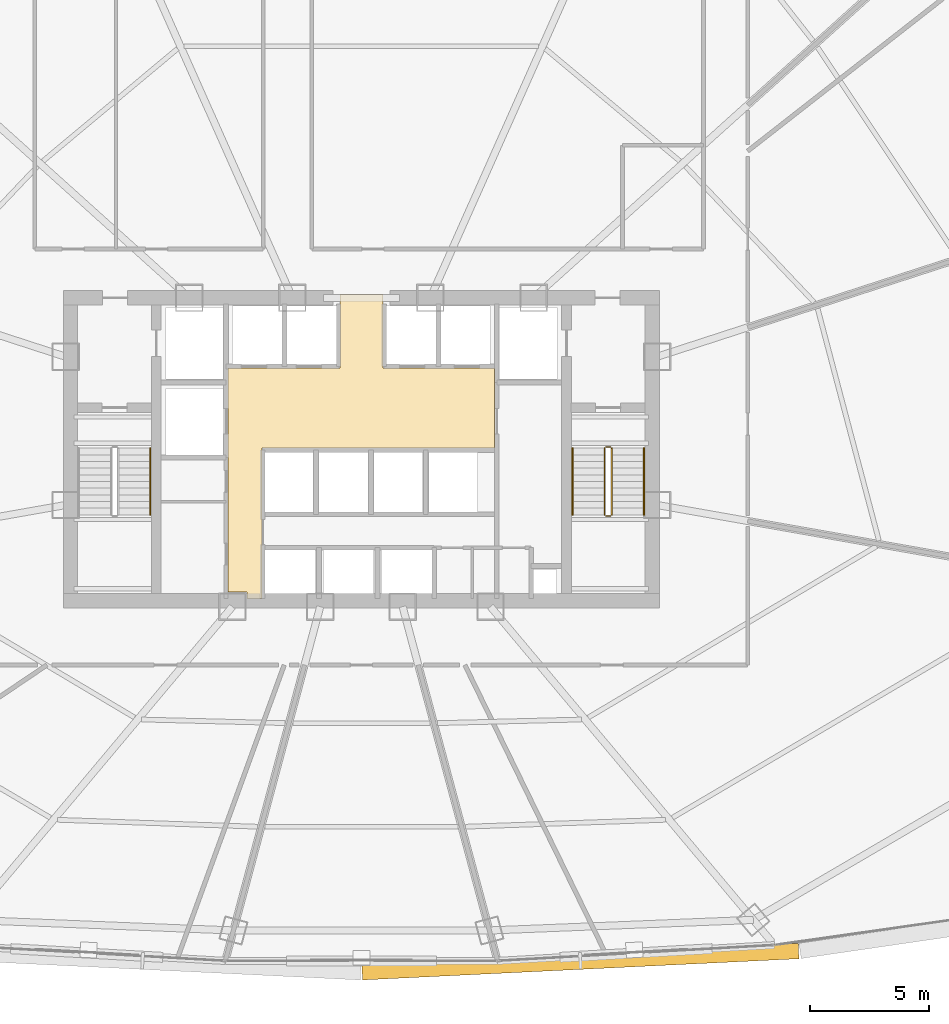
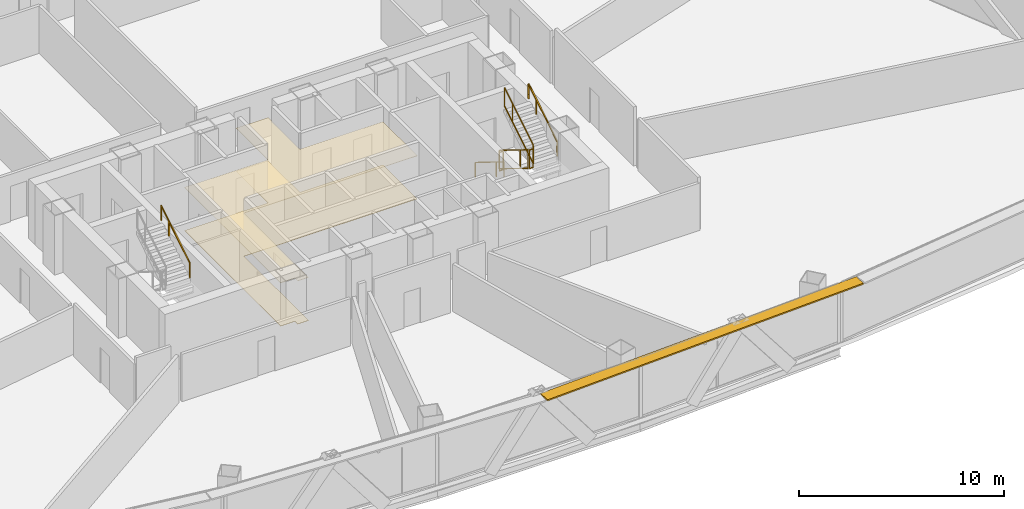
# One storey, part 39 of 41: 7 railings, 2 coverings, 1 shading device.
"""IFC4 building model written with IfcOpenShell, lengths in metres."""

from ifc_helpers import new_model, si_unit, direction, frame, origin, origin_2d, place, context, subcontext, project, spatial, polyline, rectangle, outline, extrude, source, transform, mapped, material, layer, layer_set, type_object, element, save


model = new_model("IFC4")

# Units and contexts
model_context = context("Model", 3, precision=1e-05, world=origin(), true_north=direction((0.0, 1.0)))
body_context = subcontext(model_context, "Body", "Model", "MODEL_VIEW")
ifc_project = project(units=[si_unit("LENGTHUNIT", "METRE"), si_unit("AREAUNIT", "SQUARE_METRE"), si_unit("VOLUMEUNIT", "CUBIC_METRE"), si_unit("PLANEANGLEUNIT", "RADIAN"), si_unit("MASSUNIT", "GRAM", prefix="KILO"), si_unit("THERMODYNAMICTEMPERATUREUNIT", "KELVIN"), si_unit("POWERUNIT", "WATT")], contexts=[model_context])

# Site, building, storey
site_placement = place(None, origin())
site = spatial("IfcSite", under=ifc_project, at=site_placement, CompositionType="ELEMENT")
building_placement = place(site_placement, origin())
building = spatial("IfcBuilding", under=site, at=building_placement, Name="Yunzhuo Pagoda Commons", CompositionType="ELEMENT")
storey_placement = place(building_placement, frame((0.0, 0.0, 115.3798828125)))
storey = spatial("IfcBuildingStorey", under=building, at=storey_placement, Name="L29", CompositionType="ELEMENT", Elevation=115.3798828125)

# Coverings
ifc_material_1 = material(Name="Mineral fibre acoustic ceiling board")
ifc_layer_1 = layer(ifc_material_1, 0.02490234375)
ifc_layer_set_1 = layer_set([ifc_layer_1], Name="Mineral fibre acoustic ceiling board")
covering_type_1 = type_object("IfcCoveringType", Name="COV-CL1 Ceiling 25", PredefinedType="CEILING", material=ifc_layer_set_1)
covering_1_placement = place(storey_placement, frame((0.0, 0.0, 2.570068359375)))
element("IfcCovering", 1, at=covering_1_placement, inside=storey, type_object=covering_type_1, Name="L29 lift lobby acoustic ceiling", PredefinedType="CEILING", context=body_context, shape_type="SweptSolid", body=[
    extrude(outline(polyline([(43.207763671875, 27.85009765625), (43.201904296875, 27.864013671875), (43.187744140625, 27.8701171875), (42.39990234375, 27.8701171875), (42.39990234375, 33.89990234375), (42.39990234375, 37.25), (47.10009765625, 37.25), (47.10009765625, 40.35009765625), (48.89990234375, 40.35009765625), (48.89990234375, 37.25), (53.580078125, 37.25), (53.580078125, 33.89990234375), (43.820068359375, 33.89990234375), (43.820068359375, 27.60009765625), (43.207763671875, 27.60009765625), (43.207763671875, 27.85009765625)])), origin(), (0.0, 0.0, 1.0), 0.025146484375),
])
ifc_material_2 = material(Name="Porcelain ceramic floor tile")
ifc_layer_2 = layer(ifc_material_2, 0.02001953125)
ifc_layer_set_2 = layer_set([ifc_layer_2], Name="Porcelain ceramic floor tile")
covering_type_2 = type_object("IfcCoveringType", Name="COV-FL1 Flooring 20", PredefinedType="FLOORING", material=ifc_layer_set_2)
covering_2_placement = place(storey_placement, origin())
element("IfcCovering", 2, at=covering_2_placement, inside=storey, type_object=covering_type_2, Name="L29 lift lobby flooring", PredefinedType="FLOORING", context=body_context, shape_type="SweptSolid", body=[
    extrude(outline(polyline([(43.207763671875, 27.85009765625), (43.201904296875, 27.864013671875), (43.187744140625, 27.8701171875), (42.39990234375, 27.8701171875), (42.39990234375, 33.89990234375), (42.39990234375, 37.25), (47.10009765625, 37.25), (47.10009765625, 40.35009765625), (48.89990234375, 40.35009765625), (48.89990234375, 37.25), (53.580078125, 37.25), (53.580078125, 33.89990234375), (43.820068359375, 33.89990234375), (43.820068359375, 27.60009765625), (43.207763671875, 27.60009765625), (43.207763671875, 27.85009765625)])), origin(), (0.0, 0.0, 1.0), 0.02001953125),
])

# Railings
ifc_material_3 = material(Name="Anodized aluminium 6063-T6", Category="aluminium")
railing_type_1 = type_object("IfcRailingType", Name="GR-ST2 Stair Well Guardrail 1160", PredefinedType="GUARDRAIL", material=ifc_material_3)
railing_1_placement = place(storey_placement, frame((58.199951171875, 33.89990234375, 0.1728515625)))
element("IfcRailing", 3, at=railing_1_placement, inside=storey, type_object=railing_type_1, Name="L29 ST2 stair guard 1", PredefinedType="GUARDRAIL", context=body_context, shape_type="SweptSolid", body=[
    extrude(rectangle(XDim=0.048095703125, YDim=0.048095703125, at=origin_2d()), frame((0.0, 0.0, 1.1259765625), z_axis=(0.0, -0.851069175582, 0.525053576669), x_axis=(1.0, 0.0, 0.0)), (0.0, 0.0, 1.0), 3.289794921875),
    extrude(rectangle(XDim=0.048095703125, YDim=0.048095703125, at=origin_2d()), frame((0.0, 0.0, 0.02392578125), z_axis=(0.0, -0.851069175582, 0.525053576669), x_axis=(1.0, 0.0, 0.0)), (0.0, 0.0, 1.0), 3.289794921875),
    extrude(rectangle(XDim=0.0419921875, YDim=0.0419921875, at=origin_2d()), origin(), (0.0, 0.0, 1.0), 1.101806640625),
    extrude(rectangle(XDim=0.0419921875, YDim=0.0419921875, at=origin_2d()), frame((0.0, -2.04248046875, 1.260009765625)), (0.0, 0.0, 1.0), 1.101806640625),
    extrude(rectangle(XDim=0.0419921875, YDim=0.0419921875, at=origin_2d()), frame((0.0, -2.7998046875, 1.727294921875)), (0.0, 0.0, 1.0), 1.101806640625),
])
railing_2_placement = place(storey_placement, frame((58.25, 31.050048828125, 1.900146484375)))
element("IfcRailing", 4, at=railing_2_placement, inside=storey, type_object=railing_type_1, Name="L29 ST2 stair guard 2", PredefinedType="GUARDRAIL", context=body_context, shape_type="SweptSolid", body=[
    extrude(rectangle(XDim=0.048095703125, YDim=0.048095703125, at=origin_2d()), frame((0.0, 0.0, 1.1259765625), z_axis=(1.0, 0.0, 0.0), x_axis=(0.0, 1.0, 0.0)), (0.0, 0.0, 1.0), 0.199951171875),
    extrude(rectangle(XDim=0.048095703125, YDim=0.048095703125, at=origin_2d()), frame((0.0, 0.0, 0.02392578125), z_axis=(1.0, 0.0, 0.0), x_axis=(0.0, 1.0, 0.0)), (0.0, 0.0, 1.0), 0.199951171875),
    extrude(rectangle(XDim=0.0419921875, YDim=0.0419921875, at=origin_2d()), origin(), (0.0, 0.0, 1.0), 1.101806640625),
    extrude(rectangle(XDim=0.0419921875, YDim=0.0419921875, at=origin_2d()), frame((0.199951171875, 0.0, 0.0)), (0.0, 0.0, 1.0), 1.101806640625),
])
railing_3_placement = place(storey_placement, frame((58.5, 31.10009765625, 2.07275390625)))
element("IfcRailing", 5, at=railing_3_placement, inside=storey, type_object=railing_type_1, Name="L29 ST2 stair guard 3", PredefinedType="GUARDRAIL", context=body_context, shape_type="SweptSolid", body=[
    extrude(rectangle(XDim=0.048095703125, YDim=0.048095703125, at=origin_2d()), frame((0.0, 0.0, 1.1259765625), z_axis=(0.0, 0.851069175582, 0.525053576669), x_axis=(-1.0, 0.0, 0.0)), (0.0, 0.0, 1.0), 3.289794921875),
    extrude(rectangle(XDim=0.048095703125, YDim=0.048095703125, at=origin_2d()), frame((0.0, 0.0, 0.02392578125), z_axis=(0.0, 0.851069175582, 0.525053576669), x_axis=(-1.0, 0.0, 0.0)), (0.0, 0.0, 1.0), 3.289794921875),
    extrude(rectangle(XDim=0.0419921875, YDim=0.0419921875, at=origin_2d()), origin(), (0.0, 0.0, 1.0), 1.101806640625),
    extrude(rectangle(XDim=0.0419921875, YDim=0.0419921875, at=origin_2d()), frame((0.0, 2.04248046875, 1.260009765625)), (0.0, 0.0, 1.0), 1.101806640625),
    extrude(rectangle(XDim=0.0419921875, YDim=0.0419921875, at=origin_2d()), frame((0.0, 2.7998046875, 1.727294921875)), (0.0, 0.0, 1.0), 1.101806640625),
])
railing_4_placement = place(storey_placement, frame((58.25, 33.949951171875, 0.0)))
element("IfcRailing", 6, at=railing_4_placement, inside=storey, type_object=railing_type_1, Name="L29 ST2 stair guard 4", PredefinedType="GUARDRAIL", context=body_context, shape_type="SweptSolid", body=[
    extrude(rectangle(XDim=0.048095703125, YDim=0.048095703125, at=origin_2d()), frame((0.0, 0.0, 1.1259765625), z_axis=(1.0, 0.0, 0.0), x_axis=(0.0, 1.0, 0.0)), (0.0, 0.0, 1.0), 0.199951171875),
    extrude(rectangle(XDim=0.048095703125, YDim=0.048095703125, at=origin_2d()), frame((0.0, 0.0, 0.02392578125), z_axis=(1.0, 0.0, 0.0), x_axis=(0.0, 1.0, 0.0)), (0.0, 0.0, 1.0), 0.199951171875),
    extrude(rectangle(XDim=0.0419921875, YDim=0.0419921875, at=origin_2d()), origin(), (0.0, 0.0, 1.0), 1.101806640625),
    extrude(rectangle(XDim=0.0419921875, YDim=0.0419921875, at=origin_2d()), frame((0.199951171875, 0.0, 0.0)), (0.0, 0.0, 1.0), 1.101806640625),
])
railing_type_2 = type_object("IfcRailingType", Name="HR-ST1 Stair Handrail 900", PredefinedType="HANDRAIL", material=ifc_material_3)
railing_5_placement = place(storey_placement, frame((39.14990234375, 31.10009765625, 2.07275390625)))
element("IfcRailing", 7, at=railing_5_placement, inside=storey, type_object=railing_type_2, Name="L29 ST1 stair handrail 2", PredefinedType="HANDRAIL", context=body_context, shape_type="SweptSolid", body=[
    extrude(rectangle(XDim=0.048095703125, YDim=0.048095703125, at=origin_2d()), frame((0.0, 0.0, 0.8759765625), z_axis=(0.0, 0.851069175582, 0.525053576669), x_axis=(-1.0, 0.0, 0.0)), (0.0, 0.0, 1.0), 3.289794921875),
    extrude(rectangle(XDim=0.0419921875, YDim=0.0419921875, at=origin_2d()), origin(), (0.0, 0.0, 1.0), 0.851806640625),
    extrude(rectangle(XDim=0.0419921875, YDim=0.0419921875, at=origin_2d()), frame((0.0, 2.04248046875, 1.260009765625)), (0.0, 0.0, 1.0), 0.851806640625),
    extrude(rectangle(XDim=0.0419921875, YDim=0.0419921875, at=origin_2d()), frame((0.0, 2.7998046875, 1.727294921875)), (0.0, 0.0, 1.0), 0.851806640625),
])
railing_type_3 = type_object("IfcRailingType", Name="HR-ST2 Stair Handrail 900", PredefinedType="HANDRAIL", material=ifc_material_3)
railing_6_placement = place(storey_placement, frame((56.85009765625, 33.89990234375, 0.1728515625)))
element("IfcRailing", 8, at=railing_6_placement, inside=storey, type_object=railing_type_3, Name="L29 ST2 stair handrail 1", PredefinedType="HANDRAIL", context=body_context, shape_type="SweptSolid", body=[
    extrude(rectangle(XDim=0.048095703125, YDim=0.048095703125, at=origin_2d()), frame((0.0, 0.0, 0.8759765625), z_axis=(0.0, -0.851069175582, 0.525053576669), x_axis=(1.0, 0.0, 0.0)), (0.0, 0.0, 1.0), 3.289794921875),
    extrude(rectangle(XDim=0.0419921875, YDim=0.0419921875, at=origin_2d()), origin(), (0.0, 0.0, 1.0), 0.851806640625),
    extrude(rectangle(XDim=0.0419921875, YDim=0.0419921875, at=origin_2d()), frame((0.0, -2.04248046875, 1.260009765625)), (0.0, 0.0, 1.0), 0.851806640625),
    extrude(rectangle(XDim=0.0419921875, YDim=0.0419921875, at=origin_2d()), frame((0.0, -2.7998046875, 1.727294921875)), (0.0, 0.0, 1.0), 0.851806640625),
])
railing_7_placement = place(storey_placement, frame((59.85009765625, 31.10009765625, 2.07275390625)))
element("IfcRailing", 9, at=railing_7_placement, inside=storey, type_object=railing_type_3, Name="L29 ST2 stair handrail 2", PredefinedType="HANDRAIL", context=body_context, shape_type="SweptSolid", body=[
    extrude(rectangle(XDim=0.048095703125, YDim=0.048095703125, at=origin_2d()), frame((0.0, 0.0, 0.8759765625), z_axis=(0.0, 0.851069175582, 0.525053576669), x_axis=(-1.0, 0.0, 0.0)), (0.0, 0.0, 1.0), 3.289794921875),
    extrude(rectangle(XDim=0.0419921875, YDim=0.0419921875, at=origin_2d()), origin(), (0.0, 0.0, 1.0), 0.851806640625),
    extrude(rectangle(XDim=0.0419921875, YDim=0.0419921875, at=origin_2d()), frame((0.0, 2.04248046875, 1.260009765625)), (0.0, 0.0, 1.0), 0.851806640625),
    extrude(rectangle(XDim=0.0419921875, YDim=0.0419921875, at=origin_2d()), frame((0.0, 2.7998046875, 1.727294921875)), (0.0, 0.0, 1.0), 0.851806640625),
])

# Shading device
ifc_layer_3 = layer(ifc_material_3, 0.080078125)
ifc_layer_set_3 = layer_set([ifc_layer_3], Name="Anodized aluminium 6063-T6")
shading_device_type = type_object("IfcShadingDeviceType", Name="SH-SUN1 Pagoda Horizontal Sunshade Eave 650", PredefinedType="USERDEFINED", material=ifc_layer_set_3)
shared_shape = source(origin(), body_context, "Body", "SweptSolid", [
    extrude(rectangle(XDim=18.32470703125, YDim=0.64990234375, at=origin_2d()), origin(), (0.0, 0.0, 1.0), 0.080078125),
])
shading_device_placement = place(storey_placement, frame((57.18310546875, 12.361572265625, 3.440185546875), z_axis=(0.0, 0.0, 1.0), x_axis=(0.998818043775, 0.04860571396, 0.0)))
element("IfcShadingDevice", 10, at=shading_device_placement, inside=storey, type_object=shading_device_type, Name="L29 horizontal pagoda sunshade eave F1.3", ObjectType="SUNSHADE", PredefinedType="USERDEFINED", context=body_context, shape_type="MappedRepresentation", body=[
    mapped(shared_shape, transform((0.0, 0.0, 0.0), scale=1.0)),
])

save(model, "model.ifc")
